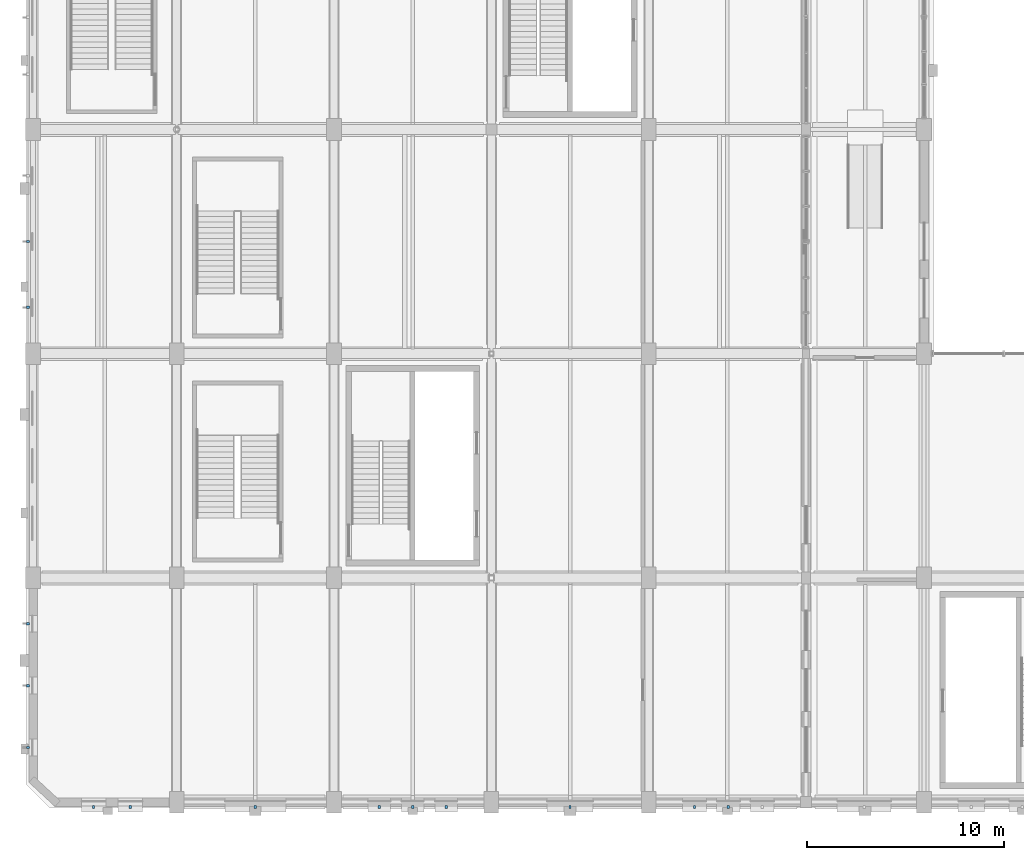
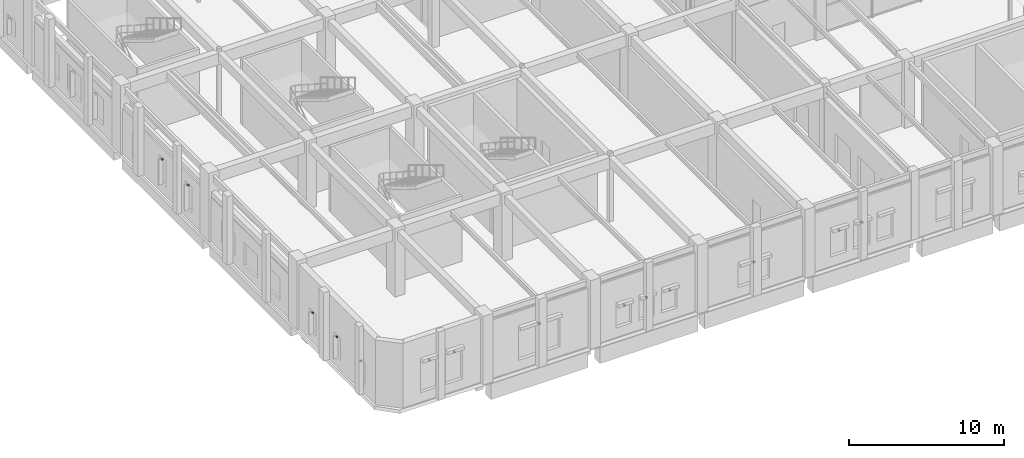
# One storey, part 97 of 113: 14 discrete accessories.
"""IFC4 building model written with IfcOpenShell, lengths in metres."""

from ifc_helpers import new_model, si_unit, direction, frame, origin, origin_2d, place, context, subcontext, project, spatial, rectangle, extrude, material, type_object, element, save


model = new_model("IFC4")

# Units and contexts
model_context = context("Model", 3, precision=1e-05, world=origin(), true_north=direction((0.0, 1.0)))
body_context = subcontext(model_context, "Body", "Model", "MODEL_VIEW")
ifc_project = project(units=[si_unit("LENGTHUNIT", "METRE"), si_unit("AREAUNIT", "SQUARE_METRE"), si_unit("VOLUMEUNIT", "CUBIC_METRE"), si_unit("PLANEANGLEUNIT", "RADIAN"), si_unit("MASSUNIT", "GRAM", prefix="KILO"), si_unit("POWERUNIT", "WATT"), si_unit("THERMODYNAMICTEMPERATUREUNIT", "KELVIN")], contexts=[model_context])

# Site, building, storey
site_placement = place(None, origin())
site = spatial("IfcSite", under=ifc_project, at=site_placement, CompositionType="ELEMENT")
building_placement = place(site_placement, origin())
building = spatial("IfcBuilding", under=site, at=building_placement, Name="Kelmbourne Parkland Aquatics Centre", CompositionType="ELEMENT")
storey_placement = place(building_placement, origin())
storey = spatial("IfcBuildingStorey", under=building, at=storey_placement, Name="L00", CompositionType="ELEMENT", Elevation=0.0)

# Discrete accessories
ifc_material = material(Name="Hot-dip galvanised structural steel AS/NZS 4680", Category="steel")
discrete_accessory_type = type_object("IfcDiscreteAccessoryType", Name="ACC-BRK-1", PredefinedType="BRACKET", material=ifc_material)
for number, where, z_axis, x_axis, name in (
    (1, (0.445068359375, 3.574951171875, 2.33984375), (0.0, 0.0, 1.0), (0.0, 1.0, 0.0), "Galvanised sunshade fixing bracket 001"),
    (2, (0.445068359375, 6.72412109375, 2.33984375), (0.0, 0.0, 1.0), (0.0, 1.0, 0.0), "Galvanised sunshade fixing bracket 002"),
    (3, (0.445068359375, 9.873046875, 2.33984375), (0.0, 0.0, 1.0), (0.0, 1.0, 0.0), "Galvanised sunshade fixing bracket 003"),
    (4, (0.445068359375, 25.951904296875, 2.639892578125), (0.0, 0.0, 1.0), (0.0, 1.0, 0.0), "Galvanised sunshade fixing bracket 004"),
    (5, (0.445068359375, 29.300048828125, 2.639892578125), (0.0, 0.0, 1.0), (0.0, 1.0, 0.0), "Galvanised sunshade fixing bracket 005"),
    (6, (3.77490234375, 0.544921875, 3.08984375), (0.0, 0.0, 1.0), (1.0, 0.0, 0.0), "Galvanised sunshade fixing bracket 022"),
    (7, (5.64794921875, 0.544921875, 3.08984375), (0.0, 0.0, 1.0), (1.0, 0.0, 0.0), "Galvanised sunshade fixing bracket 023"),
    (8, (12.0, 0.544921875, 3.08984375), (0.0, 0.0, 1.0), (1.0, 0.0, 0.0), "Galvanised sunshade fixing bracket 024"),
    (9, (18.302001953125, 0.544921875, 2.33984375), (0.0, 0.0, 1.0), (1.0, 0.0, 0.0), "Galvanised sunshade fixing bracket 025"),
    (10, (20.0, 0.544921875, 2.33984375), (0.0, 0.0, 1.0), (1.0, 0.0, 0.0), "Galvanised sunshade fixing bracket 026"),
    (11, (21.697998046875, 0.544921875, 2.33984375), (0.0, 0.0, 1.0), (1.0, 0.0, 0.0), "Galvanised sunshade fixing bracket 027"),
    (12, (28.0, 0.544921875, 2.33984375), (0.0, 0.0, 1.0), (1.0, 0.0, 0.0), "Galvanised sunshade fixing bracket 028"),
    (13, (34.326904296875, 0.544921875, 2.639892578125), (0.0, 0.0, 1.0), (1.0, 0.0, 0.0), "Galvanised sunshade fixing bracket 029"),
    (14, (36.050048828125, 0.544921875, 2.639892578125), (0.0, 0.0, 1.0), (1.0, 0.0, 0.0), "Galvanised sunshade fixing bracket 030"),
):
    element("IfcDiscreteAccessory", number, at=place(storey_placement, frame(where, z_axis=z_axis, x_axis=x_axis)), inside=storey, type_object=discrete_accessory_type, Name=name, PredefinedType="BRACKET", context=body_context, shape_type="SweptSolid", body=[
        extrude(rectangle(XDim=0.1201171875, YDim=0.139892578125, at=origin_2d()), origin(), (0.0, 0.0, 1.0), 0.1201171875),
    ])

save(model, "model.ifc")
